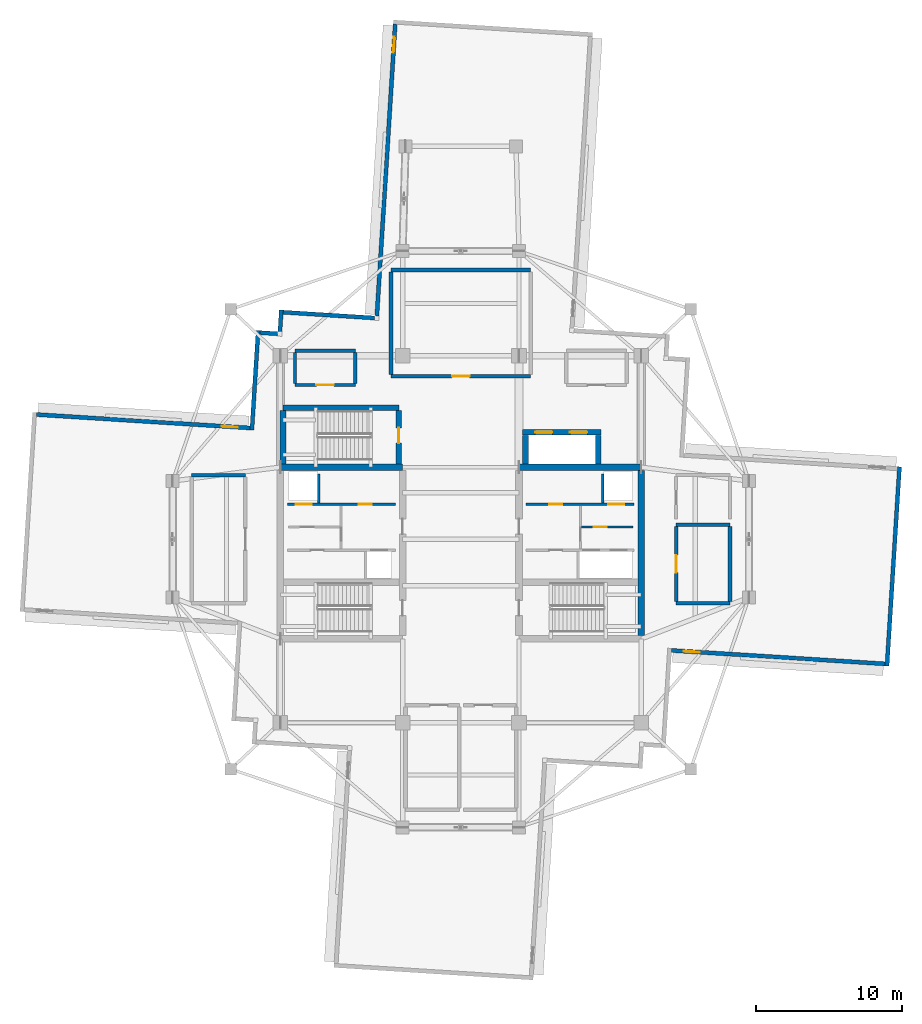
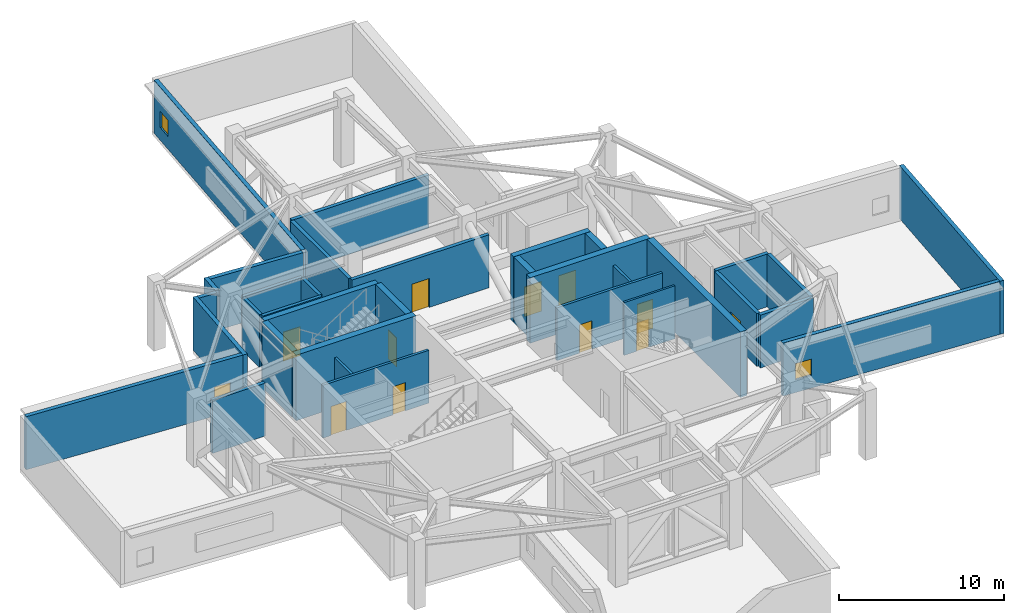
# One storey, part 9 of 14: 34 walls, 11 doors, 3 windows, 14 openings.
"""IFC4 building model written with IfcOpenShell, lengths in metres."""

from ifc_helpers import new_model, si_unit, direction, frame, frame_2d, origin, place, context, subcontext, project, spatial, rectangle, extrude, material, layer, layer_set, type_object, element, fill, save


model = new_model("IFC4")

# Units and contexts
model_context = context("Model", 3, precision=1e-05, world=origin(), true_north=direction((0.0, 1.0)))
body_context = subcontext(model_context, "Body", "Model", "MODEL_VIEW")
ifc_project = project(units=[si_unit("LENGTHUNIT", "METRE"), si_unit("AREAUNIT", "SQUARE_METRE"), si_unit("VOLUMEUNIT", "CUBIC_METRE"), si_unit("PLANEANGLEUNIT", "RADIAN"), si_unit("MASSUNIT", "GRAM", prefix="KILO")], contexts=[model_context])

# Site, building, storey
site_placement = place(None, origin())
site = spatial("IfcSite", under=ifc_project, at=site_placement, CompositionType="ELEMENT")
building_placement = place(site_placement, origin())
building = spatial("IfcBuilding", under=site, at=building_placement, Name="Qingluan Cross Belvedere", CompositionType="ELEMENT")
storey_placement = place(building_placement, frame((0.0, 0.0, 240.300048828125)))
storey = spatial("IfcBuildingStorey", under=building, at=storey_placement, Name="L60", CompositionType="ELEMENT", Elevation=240.300048828125)

# Walls
ifc_material_1 = material(Name="Concrete C50", Category="concrete")
ifc_layer_1 = layer(ifc_material_1, 0.449951171875, Name="CoreShearWall_450")
ifc_layer_set_1 = layer_set([ifc_layer_1], Name="Concrete C50")
wall_type_1 = type_object("IfcWallType", Name="CoreShearWall_450", PredefinedType="SHEAR", material=ifc_layer_set_1)
for number, where, z_axis, x_axis, name in (
    (1, (-12.39990234375, 4.949951171875, 0.0), (0.0, 0.0, 1.0), (1.0, 0.0, 0.0), "Split core W shear wall L60-N"),
    (2, (4.0, 4.949951171875, 0.0), (0.0, 0.0, 1.0), (1.0, 0.0, 0.0), "Split core E shear wall L60-N"),
):
    element("IfcWall", number, at=place(storey_placement, frame(where, z_axis=z_axis, x_axis=x_axis)), inside=storey, type_object=wall_type_1, Name=name, PredefinedType="SHEAR", context=body_context, shape_type="SweptSolid", body=[
        extrude(rectangle(XDim=8.39990234375, YDim=0.449951171875, at=frame_2d((4.199951171875, 0.0))), origin(), (0.0, 0.0, 1.0), 4.849853515625),
    ])
wall_1_placement = place(storey_placement, frame((12.39990234375, -6.6201171875, 0.0), z_axis=(0.0, 0.0, 1.0), x_axis=(0.0, 1.0, 0.0)))
element("IfcWall", 3, at=wall_1_placement, inside=storey, type_object=wall_type_1, Name="Split core E shear wall L60-E", PredefinedType="SHEAR", context=body_context, shape_type="SweptSolid", body=[
    extrude(rectangle(XDim=11.340087890625, YDim=0.449951171875, at=frame_2d((5.669921875, 0.0))), origin(), (0.0, 0.0, 1.0), 4.849853515625),
])
wall_2_placement = place(storey_placement, frame((-12.219970703125, 9.0400390625, 0.0), z_axis=(0.0, 0.0, 1.0), x_axis=(1.0, 0.0, 0.0)))
element("IfcWall", 4, at=wall_2_placement, inside=storey, type_object=wall_type_1, Name="Stair ST3 structural wall N L60", PredefinedType="SHEAR", context=body_context, shape_type="SweptSolid", body=[
    extrude(rectangle(XDim=7.9599609375, YDim=0.39990234375, at=frame_2d((3.97998046875, 0.0))), origin(), (0.0, 0.0, 1.0), 4.849853515625),
])
wall_3_placement = place(storey_placement, frame((-12.219970703125, 5.179931640625, 0.0), z_axis=(0.0, 0.0, 1.0), x_axis=(0.0, 1.0, 0.0)))
element("IfcWall", 5, at=wall_3_placement, inside=storey, type_object=wall_type_1, Name="Stair ST3 structural wall W L60", PredefinedType="SHEAR", context=body_context, shape_type="SweptSolid", body=[
    extrude(rectangle(XDim=3.655029296875, YDim=0.39990234375, at=frame_2d((1.82763671875, 0.0))), origin(), (0.0, 0.0, 1.0), 4.849853515625),
])

# Wall, opening, door
wall_4_placement = place(storey_placement, frame((-4.260009765625, 5.179931640625, 0.0), z_axis=(0.0, 0.0, 1.0), x_axis=(0.0, 1.0, 0.0)))
wall_4 = element("IfcWall", 6, at=wall_4_placement, inside=storey, type_object=wall_type_1, Name="Stair ST3 structural wall E L60", PredefinedType="SHEAR", context=body_context, shape_type="SweptSolid", body=[
    extrude(rectangle(XDim=3.655029296875, YDim=0.39990234375, at=frame_2d((1.82763671875, 0.0))), origin(), (0.0, 0.0, 1.0), 4.849853515625),
])
opening_1_placement = place(wall_4_placement, frame((1.419921875, 0.0, 0.0)))
opening_1 = element("IfcOpeningElement", 7, at=opening_1_placement, cuts=wall_4, Name="Opening FD-B11", PredefinedType="OPENING", context=body_context, shape_type="SweptSolid", body=[
    extrude(rectangle(XDim=1.050048828125, YDim=2.14990234375, at=frame_2d((0.52490234375, 1.074951171875))), frame((0.0, 0.2099609375, 0.0), z_axis=(0.0, -1.0, 0.0), x_axis=(1.0, 0.0, 0.0)), (0.0, 0.0, 1.0), 0.419921875),
])
ifc_material_2 = material(Name="Steel Class B smoke-seal fire door", Category="steel")
door_type_1 = type_object("IfcDoorType", Name="StairLobbyFireDoor_FDB", OperationType="NOTDEFINED", PredefinedType="DOOR", material=ifc_material_2)
door_1_placement = place(opening_1_placement, origin())
door_1 = element("IfcDoor", 8, at=door_1_placement, inside=storey, type_object=door_type_1, Name="Smoke-proof stair ST3 fire door L60", OperationType="SINGLE_SWING_RIGHT", OverallHeight=2.14990234375, OverallWidth=1.050048828125, PredefinedType="DOOR", context=body_context, shape_type="SweptSolid", body=[
    extrude(rectangle(XDim=1.050048828125, YDim=2.14990234375, at=frame_2d((0.52490234375, 1.074951171875))), frame((0.0, 0.02490234375, 0.0), z_axis=(0.0, -1.0, 0.0), x_axis=(1.0, 0.0, 0.0)), (0.0, 0.0, 1.0), 0.050048828125),
])
fill(opening_1, door_1)

# Wall
wall_5_placement = place(storey_placement, frame((4.449951171875, 5.179931640625, 0.0), z_axis=(0.0, 0.0, 1.0), x_axis=(0.0, 1.0, 0.0)))
element("IfcWall", 9, at=wall_5_placement, inside=storey, type_object=wall_type_1, Name="Express shuttle core wall L60-W", PredefinedType="SHEAR", context=body_context, shape_type="SweptSolid", body=[
    extrude(rectangle(XDim=1.9599609375, YDim=0.39990234375, at=frame_2d((0.97998046875, 0.0))), origin(), (0.0, 0.0, 1.0), 4.849853515625),
])

# Wall, openings, doors
wall_6_placement = place(storey_placement, frame((4.25, 7.35009765625, 0.0), z_axis=(0.0, 0.0, 1.0), x_axis=(1.0, 0.0, 0.0)))
wall_6 = element("IfcWall", 10, at=wall_6_placement, inside=storey, type_object=wall_type_1, Name="Express shuttle core wall L60-N", PredefinedType="SHEAR", context=body_context, shape_type="SweptSolid", body=[
    extrude(rectangle(XDim=5.39990234375, YDim=0.39990234375, at=frame_2d((2.699951171875, 0.0))), origin(), (0.0, 0.0, 1.0), 4.849853515625),
])
opening_2_placement = place(wall_6_placement, frame((0.85009765625, 0.0, 0.0)))
opening_2 = element("IfcOpeningElement", 11, at=opening_2_placement, cuts=wall_6, Name="Opening LD-12", PredefinedType="OPENING", context=body_context, shape_type="SweptSolid", body=[
    extrude(rectangle(XDim=1.199951171875, YDim=2.199951171875, at=frame_2d((0.60009765625, 1.10009765625))), frame((0.0, 0.2099609375, 0.0), z_axis=(0.0, -1.0, 0.0), x_axis=(1.0, 0.0, 0.0)), (0.0, 0.0, 1.0), 0.419921875),
])
opening_3_placement = place(wall_6_placement, frame((3.25, 0.0, 0.0)))
opening_3 = element("IfcOpeningElement", 12, at=opening_3_placement, cuts=wall_6, Name="Opening LD-12", PredefinedType="OPENING", context=body_context, shape_type="SweptSolid", body=[
    extrude(rectangle(XDim=1.199951171875, YDim=2.199951171875, at=frame_2d((0.60009765625, 1.10009765625))), frame((0.0, 0.2099609375, 0.0), z_axis=(0.0, -1.0, 0.0), x_axis=(1.0, 0.0, 0.0)), (0.0, 0.0, 1.0), 0.419921875),
])
ifc_material_3 = material(Name="Bronze-anodised stainless steel lift landing door", Category="steel")
door_type_2 = type_object("IfcDoorType", Name="ExpressLiftSlidingDoor_1200", OperationType="DOUBLE_DOOR_SLIDING", PredefinedType="DOOR", material=ifc_material_3)
door_2_placement = place(opening_2_placement, origin())
door_2 = element("IfcDoor", 13, at=door_2_placement, inside=storey, type_object=door_type_2, Name="Express shuttle landing sliding door LPX1 L60", OperationType="DOUBLE_DOOR_SLIDING", OverallHeight=2.199951171875, OverallWidth=1.199951171875, PredefinedType="DOOR", context=body_context, shape_type="SweptSolid", body=[
    extrude(rectangle(XDim=1.199951171875, YDim=2.199951171875, at=frame_2d((0.60009765625, 1.10009765625))), frame((0.0, 0.02490234375, 0.0), z_axis=(0.0, -1.0, 0.0), x_axis=(1.0, 0.0, 0.0)), (0.0, 0.0, 1.0), 0.050048828125),
])
fill(opening_2, door_2)
door_3_placement = place(opening_3_placement, origin())
door_3 = element("IfcDoor", 14, at=door_3_placement, inside=storey, type_object=door_type_2, Name="Express shuttle landing sliding door LPX2 L60", OperationType="DOUBLE_DOOR_SLIDING", OverallHeight=2.199951171875, OverallWidth=1.199951171875, PredefinedType="DOOR", context=body_context, shape_type="SweptSolid", body=[
    extrude(rectangle(XDim=1.199951171875, YDim=2.199951171875, at=frame_2d((0.60009765625, 1.10009765625))), frame((0.0, 0.02490234375, 0.0), z_axis=(0.0, -1.0, 0.0), x_axis=(1.0, 0.0, 0.0)), (0.0, 0.0, 1.0), 0.050048828125),
])
fill(opening_3, door_3)

# Wall
wall_7_placement = place(storey_placement, frame((9.449951171875, 5.179931640625, 0.0), z_axis=(0.0, 0.0, 1.0), x_axis=(0.0, 1.0, 0.0)))
element("IfcWall", 15, at=wall_7_placement, inside=storey, type_object=wall_type_1, Name="Express shuttle core wall L60-E", PredefinedType="SHEAR", context=body_context, shape_type="SweptSolid", body=[
    extrude(rectangle(XDim=1.9599609375, YDim=0.39990234375, at=frame_2d((0.97998046875, 0.0))), origin(), (0.0, 0.0, 1.0), 4.849853515625),
])

# Wall, opening, door
ifc_material_4 = material(Name="Gypsum plasterboard on steel stud acoustic partition", Category="steel")
ifc_layer_2 = layer(ifc_material_4, 0.159912109375, Name="CorridorPartition_160")
ifc_layer_set_2 = layer_set([ifc_layer_2], Name="Gypsum plasterboard on steel stud acoustic partition")
wall_type_2 = type_object("IfcWallType", Name="CorridorPartition_160", PredefinedType="PARTITIONING", material=ifc_layer_set_2)
wall_8_placement = place(storey_placement, frame((8.298095703125, 0.830078125, 0.0), z_axis=(0.0, 0.0, 1.0), x_axis=(1.0, 0.0, 0.0)))
wall_8 = element("IfcWall", 16, at=wall_8_placement, inside=storey, type_object=wall_type_2, Name="Partition L60:e", PredefinedType="PARTITIONING", context=body_context, shape_type="SweptSolid", body=[
    extrude(rectangle(XDim=3.552001953125, YDim=0.139892578125, at=frame_2d((1.77587890625, 0.0))), origin(), (0.0, 0.0, 1.0), 3.919921875),
])
opening_4_placement = place(wall_8_placement, frame((0.85009765625, 0.0, 0.0)))
opening_4 = element("IfcOpeningElement", 17, at=opening_4_placement, cuts=wall_8, Name="Opening FD-B10", PredefinedType="OPENING", context=body_context, shape_type="SweptSolid", body=[
    extrude(rectangle(XDim=0.8798828125, YDim=2.10009765625, at=frame_2d((0.43994140625, 1.050048828125))), frame((0.0, 0.079833984375, 0.0), z_axis=(0.0, -1.0, 0.0), x_axis=(1.0, 0.0, 0.0)), (0.0, 0.0, 1.0), 0.159912109375),
])
ifc_material_5 = material(Name="Steel Class B service fire door", Category="steel")
door_type_3 = type_object("IfcDoorType", Name="RiserServiceFireDoor_FDB", OperationType="NOTDEFINED", PredefinedType="DOOR", material=ifc_material_5)
door_4_placement = place(opening_4_placement, origin())
door_4 = element("IfcDoor", 18, at=door_4_placement, inside=storey, type_object=door_type_3, Name="Service closet inner door L60", OperationType="SINGLE_SWING_RIGHT", OverallHeight=2.10009765625, OverallWidth=0.8798828125, PredefinedType="DOOR", context=body_context, shape_type="SweptSolid", body=[
    extrude(rectangle(XDim=0.8798828125, YDim=2.10009765625, at=frame_2d((0.43994140625, 1.050048828125))), frame((0.0, 0.02490234375, 0.0), z_axis=(0.0, -1.0, 0.0), x_axis=(1.0, 0.0, 0.0)), (0.0, 0.0, 1.0), 0.050048828125),
])
fill(opening_4, door_4)

wall_9_placement = place(storey_placement, frame((-11.39990234375, 10.60009765625, 0.0), z_axis=(0.0, 0.0, 1.0), x_axis=(1.0, 0.0, 0.0)))
wall_9 = element("IfcWall", 19, at=wall_9_placement, inside=storey, type_object=wall_type_2, Name="Partition L60:refuge_nw:S", PredefinedType="PARTITIONING", context=body_context, shape_type="SweptSolid", body=[
    extrude(rectangle(XDim=4.14990234375, YDim=0.219970703125, at=frame_2d((2.074951171875, 0.0))), origin(), (0.0, 0.0, 1.0), 3.919921875),
])
opening_5_placement = place(wall_9_placement, frame((1.47509765625, 0.0, 0.0)))
opening_5 = element("IfcOpeningElement", 20, at=opening_5_placement, cuts=wall_9, Name="Opening FD-A12", PredefinedType="OPENING", context=body_context, shape_type="SweptSolid", body=[
    extrude(rectangle(XDim=1.199951171875, YDim=2.14990234375, at=frame_2d((0.60009765625, 1.074951171875))), frame((0.0, 0.119873046875, 0.0), z_axis=(0.0, -1.0, 0.0), x_axis=(1.0, 0.0, 0.0)), (0.0, 0.0, 1.0), 0.239990234375),
])
ifc_material_6 = material(Name="Insulated steel Class A fire door", Category="steel")
door_type_4 = type_object("IfcDoorType", Name="RefugeCompartmentDoor_FDA", OperationType="NOTDEFINED", PredefinedType="DOOR", material=ifc_material_6)
door_5_placement = place(opening_5_placement, origin())
door_5 = element("IfcDoor", 21, at=door_5_placement, inside=storey, type_object=door_type_4, Name="High-zone fire refuge bay NW L60 door", OperationType="SINGLE_SWING_LEFT", OverallHeight=2.14990234375, OverallWidth=1.199951171875, PredefinedType="DOOR", context=body_context, shape_type="SweptSolid", body=[
    extrude(rectangle(XDim=1.199951171875, YDim=2.14990234375, at=frame_2d((0.60009765625, 1.074951171875))), frame((0.0, 0.02490234375, 0.0), z_axis=(0.0, -1.0, 0.0), x_axis=(1.0, 0.0, 0.0)), (0.0, 0.0, 1.0), 0.050048828125),
])
fill(opening_5, door_5)

# Walls
wall_10_placement = place(storey_placement, frame((-11.39990234375, 12.949951171875, 0.0), z_axis=(0.0, 0.0, 1.0), x_axis=(1.0, 0.0, 0.0)))
element("IfcWall", 22, at=wall_10_placement, inside=storey, type_object=wall_type_2, Name="Partition L60:refuge_nw:N", PredefinedType="PARTITIONING", context=body_context, shape_type="SweptSolid", body=[
    extrude(rectangle(XDim=4.14990234375, YDim=0.219970703125, at=frame_2d((2.074951171875, 0.0))), origin(), (0.0, 0.0, 1.0), 3.919921875),
])
for number, where, z_axis, x_axis, name in (
    (23, (-11.39990234375, 10.715087890625, 0.0), (0.0, 0.0, 1.0), (0.0, 1.0, 0.0), "Partition L60:refuge_nw:W"),
    (24, (-7.25, 10.715087890625, 0.0), (0.0, 0.0, 1.0), (0.0, 1.0, 0.0), "Partition L60:refuge_nw:E"),
):
    element("IfcWall", number, at=place(storey_placement, frame(where, z_axis=z_axis, x_axis=x_axis)), inside=storey, type_object=wall_type_2, Name=name, PredefinedType="PARTITIONING", context=body_context, shape_type="SweptSolid", body=[
        extrude(rectangle(XDim=2.119873046875, YDim=0.219970703125, at=frame_2d((1.06005859375, 0.0))), origin(), (0.0, 0.0, 1.0), 3.919921875),
    ])

# Wall, opening, door
ifc_material_7 = material(Name="Concrete C40", Category="concrete")
ifc_layer_3 = layer(ifc_material_7, 0.300048828125, Name="FireCompartmentWall_300")
ifc_layer_set_3 = layer_set([ifc_layer_3], Name="Concrete C40")
wall_type_3 = type_object("IfcWallType", Name="FireCompartmentWall_300", PredefinedType="SOLIDWALL", material=ifc_layer_set_3)
wall_11_placement = place(storey_placement, frame((-4.800048828125, 11.199951171875, 0.0), z_axis=(0.0, 0.0, 1.0), x_axis=(1.0, 0.0, 0.0)))
wall_11 = element("IfcWall", 25, at=wall_11_placement, inside=storey, type_object=wall_type_3, Name="Partition L60:refuge_n:S", PredefinedType="SOLIDWALL", context=body_context, shape_type="SweptSolid", body=[
    extrude(rectangle(XDim=9.60009765625, YDim=0.25, at=frame_2d((4.800048828125, 0.0))), origin(), (0.0, 0.0, 1.0), 3.919921875),
])
opening_6_placement = place(wall_11_placement, frame((4.199951171875, 0.0, 0.0)))
opening_6 = element("IfcOpeningElement", 26, at=opening_6_placement, cuts=wall_11, Name="Opening FD-A12", PredefinedType="OPENING", context=body_context, shape_type="SweptSolid", body=[
    extrude(rectangle(XDim=1.199951171875, YDim=2.14990234375, at=frame_2d((0.60009765625, 1.074951171875))), frame((0.0, 0.135009765625, 0.0), z_axis=(0.0, -1.0, 0.0), x_axis=(1.0, 0.0, 0.0)), (0.0, 0.0, 1.0), 0.27001953125),
])
door_6_placement = place(opening_6_placement, origin())
door_6 = element("IfcDoor", 27, at=door_6_placement, inside=storey, type_object=door_type_4, Name="Fire refuge area North L60 door", OperationType="SINGLE_SWING_RIGHT", OverallHeight=2.14990234375, OverallWidth=1.199951171875, PredefinedType="DOOR", context=body_context, shape_type="SweptSolid", body=[
    extrude(rectangle(XDim=1.199951171875, YDim=2.14990234375, at=frame_2d((0.60009765625, 1.074951171875))), frame((0.0, 0.02490234375, 0.0), z_axis=(0.0, -1.0, 0.0), x_axis=(1.0, 0.0, 0.0)), (0.0, 0.0, 1.0), 0.050048828125),
])
fill(opening_6, door_6)

# Walls
wall_12_placement = place(storey_placement, frame((-4.800048828125, 18.5, 0.0), z_axis=(0.0, 0.0, 1.0), x_axis=(1.0, 0.0, 0.0)))
element("IfcWall", 28, at=wall_12_placement, inside=storey, type_object=wall_type_3, Name="Partition L60:refuge_n:N", PredefinedType="SOLIDWALL", context=body_context, shape_type="SweptSolid", body=[
    extrude(rectangle(XDim=9.60009765625, YDim=0.25, at=frame_2d((4.800048828125, 0.0))), origin(), (0.0, 0.0, 1.0), 3.919921875),
])
wall_13_placement = place(storey_placement, frame((-4.800048828125, 11.330078125, 0.0), z_axis=(0.0, 0.0, 1.0), x_axis=(0.0, 1.0, 0.0)))
element("IfcWall", 29, at=wall_13_placement, inside=storey, type_object=wall_type_3, Name="Partition L60:refuge_n:W", PredefinedType="SOLIDWALL", context=body_context, shape_type="SweptSolid", body=[
    extrude(rectangle(XDim=7.0400390625, YDim=0.25, at=frame_2d((3.52001953125, 0.0))), origin(), (0.0, 0.0, 1.0), 3.919921875),
])
for number, where, z_axis, x_axis, name in (
    (30, (-18.5, 4.39990234375, 0.0), (0.0, 0.0, 1.0), (1.0, 0.0, 0.0), "Partition L60:hx_plant:N"),
    (31, (14.800048828125, -4.39990234375, 0.0), (0.0, 0.0, 1.0), (1.0, 0.0, 0.0), "Partition L60:press_fan:S"),
    (32, (14.800048828125, 1.0, 0.0), (0.0, 0.0, 1.0), (1.0, 0.0, 0.0), "Partition L60:press_fan:N"),
):
    element("IfcWall", number, at=place(storey_placement, frame(where, z_axis=z_axis, x_axis=x_axis)), inside=storey, type_object=wall_type_3, Name=name, PredefinedType="SOLIDWALL", context=body_context, shape_type="SweptSolid", body=[
        extrude(rectangle(XDim=3.699951171875, YDim=0.25, at=frame_2d((1.85009765625, 0.0))), origin(), (0.0, 0.0, 1.0), 3.919921875),
    ])

# Wall, opening, door
wall_14_placement = place(storey_placement, frame((14.800048828125, -4.27001953125, 0.0), z_axis=(0.0, 0.0, 1.0), x_axis=(0.0, 1.0, 0.0)))
wall_14 = element("IfcWall", 33, at=wall_14_placement, inside=storey, type_object=wall_type_3, Name="Partition L60:press_fan:W", PredefinedType="SOLIDWALL", context=body_context, shape_type="SweptSolid", body=[
    extrude(rectangle(XDim=5.14013671875, YDim=0.25, at=frame_2d((2.570068359375, 0.0))), origin(), (0.0, 0.0, 1.0), 3.919921875),
])
opening_7_placement = place(wall_14_placement, frame((1.969970703125, 0.0, 0.0)))
opening_7 = element("IfcOpeningElement", 34, at=opening_7_placement, cuts=wall_14, Name="Opening FD-A12", PredefinedType="OPENING", context=body_context, shape_type="SweptSolid", body=[
    extrude(rectangle(XDim=1.199951171875, YDim=2.14990234375, at=frame_2d((0.60009765625, 1.074951171875))), frame((0.0, 0.135009765625, 0.0), z_axis=(0.0, -1.0, 0.0), x_axis=(1.0, 0.0, 0.0)), (0.0, 0.0, 1.0), 0.27001953125),
])
door_7_placement = place(opening_7_placement, origin())
door_7 = element("IfcDoor", 35, at=door_7_placement, inside=storey, type_object=door_type_4, Name="Smoke pressurization fan plant room L60 door", OperationType="SINGLE_SWING_LEFT", OverallHeight=2.14990234375, OverallWidth=1.199951171875, PredefinedType="DOOR", context=body_context, shape_type="SweptSolid", body=[
    extrude(rectangle(XDim=1.199951171875, YDim=2.14990234375, at=frame_2d((0.60009765625, 1.074951171875))), frame((0.0, 0.02490234375, 0.0), z_axis=(0.0, -1.0, 0.0), x_axis=(1.0, 0.0, 0.0)), (0.0, 0.0, 1.0), 0.050048828125),
])
fill(opening_7, door_7)

# Wall
wall_15_placement = place(storey_placement, frame((18.5, -4.27001953125, 0.0), z_axis=(0.0, 0.0, 1.0), x_axis=(0.0, 1.0, 0.0)))
element("IfcWall", 36, at=wall_15_placement, inside=storey, type_object=wall_type_3, Name="Partition L60:press_fan:E", PredefinedType="SOLIDWALL", context=body_context, shape_type="SweptSolid", body=[
    extrude(rectangle(XDim=5.14013671875, YDim=0.25, at=frame_2d((2.570068359375, 0.0))), origin(), (0.0, 0.0, 1.0), 3.919921875),
])

# Wall, opening, window
ifc_material_8 = material(Name="Precast concrete C45", Category="concrete")
ifc_layer_4 = layer(ifc_material_8, 0.280029296875, Name="PrecastFacadeWall_280")
ifc_layer_set_4 = layer_set([ifc_layer_4], Name="Precast concrete C45")
wall_type_4 = type_object("IfcWallType", Name="PrecastFacadeWall_280", PredefinedType="STANDARD", material=ifc_layer_set_4)
wall_16_placement = place(storey_placement, frame((14.488525390625, -7.644775390625, 0.0), z_axis=(0.0, 0.0, 1.0), x_axis=(0.998026448555, -0.062794967833, 0.0)))
wall_16 = element("IfcWall", 37, at=wall_16_placement, inside=storey, type_object=wall_type_4, Name="Facade wall L60-EA", PredefinedType="STANDARD", context=body_context, shape_type="SweptSolid", body=[
    extrude(rectangle(XDim=14.7001953125, YDim=0.280029296875, at=frame_2d((7.35009765625, 0.0))), origin(), (0.0, 0.0, 1.0), 3.929931640625),
])
opening_8_placement = place(wall_16_placement, frame((0.85009765625, 0.0, 0.949951171875)))
opening_8 = element("IfcOpeningElement", 38, at=opening_8_placement, cuts=wall_16, Name="Opening W-07", PredefinedType="OPENING", context=body_context, shape_type="SweptSolid", body=[
    extrude(rectangle(XDim=1.10009765625, YDim=1.199951171875, at=frame_2d((0.550048828125, 0.60009765625))), frame((0.0, 0.14990234375, 0.0), z_axis=(0.0, -1.0, 0.0), x_axis=(1.0, 0.0, 0.0)), (0.0, 0.0, 1.0), 0.300048828125),
])
ifc_material_9 = material(Name="Thermally broken triple Low-E glass in aluminium frame", Category="aluminium")
window_type = type_object("IfcWindowType", Name="RefugeSmokeWin_1100x1200", PartitioningType="SINGLE_PANEL", PredefinedType="WINDOW", material=ifc_material_9)
window_1_placement = place(opening_8_placement, origin())
window_1 = element("IfcWindow", 39, at=window_1_placement, inside=storey, type_object=window_type, Name="Refuge operable smoke window L60-EA", OverallHeight=1.199951171875, OverallWidth=1.10009765625, PartitioningType="SINGLE_PANEL", PredefinedType="WINDOW", context=body_context, shape_type="SweptSolid", body=[
    extrude(rectangle(XDim=1.10009765625, YDim=1.199951171875, at=frame_2d((0.550048828125, 0.60009765625))), frame((0.0, 0.030029296875, 0.0), z_axis=(0.0, -1.0, 0.0), x_axis=(1.0, 0.0, 0.0)), (0.0, 0.0, 1.0), 0.06005859375),
])
fill(opening_8, window_1)

# Wall
wall_17_placement = place(storey_placement, frame((29.29052734375, -8.71630859375, 0.0), z_axis=(0.0, 0.0, 1.0), x_axis=(0.062797041623, 0.998026318072, 0.0)))
element("IfcWall", 40, at=wall_17_placement, inside=storey, type_object=wall_type_4, Name="Arm tip precast facade wall L60-E", PredefinedType="STANDARD", context=body_context, shape_type="SweptSolid", body=[
    extrude(rectangle(XDim=13.719970703125, YDim=0.280029296875, at=frame_2d((6.85986328125, 0.0))), origin(), (0.0, 0.0, 1.0), 3.929931640625),
])

# Wall, opening, window
wall_18_placement = place(storey_placement, frame((-4.506591796875, 35.392822265625, 0.0), z_axis=(0.0, 0.0, 1.0), x_axis=(-0.062784355807, -0.998027116198, 0.0)))
wall_18 = element("IfcWall", 41, at=wall_18_placement, inside=storey, type_object=wall_type_4, Name="Facade wall L60-NB", PredefinedType="STANDARD", context=body_context, shape_type="SweptSolid", body=[
    extrude(rectangle(XDim=20.099853515625, YDim=0.280029296875, at=frame_2d((10.0498046875, 0.0))), origin(), (0.0, 0.0, 1.0), 3.929931640625),
])
opening_9_placement = place(wall_18_placement, frame((0.85009765625, 0.0, 0.949951171875)))
opening_9 = element("IfcOpeningElement", 42, at=opening_9_placement, cuts=wall_18, Name="Opening W-07", PredefinedType="OPENING", context=body_context, shape_type="SweptSolid", body=[
    extrude(rectangle(XDim=1.10009765625, YDim=1.199951171875, at=frame_2d((0.550048828125, 0.60009765625))), frame((0.0, 0.14990234375, 0.0), z_axis=(0.0, -1.0, 0.0), x_axis=(1.0, 0.0, 0.0)), (0.0, 0.0, 1.0), 0.300048828125),
])
window_2_placement = place(opening_9_placement, origin())
window_2 = element("IfcWindow", 43, at=window_2_placement, inside=storey, type_object=window_type, Name="Refuge operable smoke window L60-NB", OverallHeight=1.199951171875, OverallWidth=1.10009765625, PartitioningType="SINGLE_PANEL", PredefinedType="WINDOW", context=body_context, shape_type="SweptSolid", body=[
    extrude(rectangle(XDim=1.10009765625, YDim=1.199951171875, at=frame_2d((0.550048828125, 0.60009765625))), frame((0.0, 0.030029296875, 0.0), z_axis=(0.0, -1.0, 0.0), x_axis=(1.0, 0.0, 0.0)), (0.0, 0.0, 1.0), 0.06005859375),
])
fill(opening_9, window_2)

wall_19_placement = place(storey_placement, frame((-14.488525390625, 7.644775390625, 0.0), z_axis=(0.0, 0.0, 1.0), x_axis=(-0.998026448555, 0.062794967833, 0.0)))
wall_19 = element("IfcWall", 44, at=wall_19_placement, inside=storey, type_object=wall_type_4, Name="Facade wall L60-WA", PredefinedType="STANDARD", context=body_context, shape_type="SweptSolid", body=[
    extrude(rectangle(XDim=14.7001953125, YDim=0.280029296875, at=frame_2d((7.35009765625, 0.0))), origin(), (0.0, 0.0, 1.0), 3.929931640625),
])
opening_10_placement = place(wall_19_placement, frame((0.85009765625, 0.0, 0.949951171875)))
opening_10 = element("IfcOpeningElement", 45, at=opening_10_placement, cuts=wall_19, Name="Opening W-07", PredefinedType="OPENING", context=body_context, shape_type="SweptSolid", body=[
    extrude(rectangle(XDim=1.10009765625, YDim=1.199951171875, at=frame_2d((0.550048828125, 0.60009765625))), frame((0.0, 0.14990234375, 0.0), z_axis=(0.0, -1.0, 0.0), x_axis=(1.0, 0.0, 0.0)), (0.0, 0.0, 1.0), 0.300048828125),
])
window_3_placement = place(opening_10_placement, origin())
window_3 = element("IfcWindow", 46, at=window_3_placement, inside=storey, type_object=window_type, Name="Refuge operable smoke window L60-WA", OverallHeight=1.199951171875, OverallWidth=1.10009765625, PartitioningType="SINGLE_PANEL", PredefinedType="WINDOW", context=body_context, shape_type="SweptSolid", body=[
    extrude(rectangle(XDim=1.10009765625, YDim=1.199951171875, at=frame_2d((0.550048828125, 0.60009765625))), frame((0.0, 0.030029296875, 0.0), z_axis=(0.0, -1.0, 0.0), x_axis=(1.0, 0.0, 0.0)), (0.0, 0.0, 1.0), 0.06005859375),
])
fill(opening_10, window_3)

# Walls
wall_20_placement = place(storey_placement, frame((-14.357666015625, 7.496337890625, 0.0), z_axis=(0.0, 0.0, 1.0), x_axis=(0.062779317195, 0.998027433156, 0.0)))
element("IfcWall", 47, at=wall_20_placement, inside=storey, type_object=wall_type_4, Name="Corner wall L60-NW1", PredefinedType="STANDARD", context=body_context, shape_type="SweptSolid", body=[
    extrude(rectangle(XDim=6.85986328125, YDim=0.280029296875, at=frame_2d((3.429931640625, 0.0))), origin(), (0.0, 0.0, 1.0), 3.929931640625),
])
wall_21_placement = place(storey_placement, frame((-13.7958984375, 14.1943359375, 0.0), z_axis=(0.0, 0.0, 1.0), x_axis=(0.998023660242, -0.06283926796, 0.0)))
element("IfcWall", 48, at=wall_21_placement, inside=storey, type_object=wall_type_4, Name="Corner wall L60-NW2", PredefinedType="STANDARD", context=body_context, shape_type="SweptSolid", body=[
    extrude(rectangle(XDim=1.219970703125, YDim=0.280029296875, at=frame_2d((0.60986328125, 0.0))), origin(), (0.0, 0.0, 1.0), 3.929931640625),
])
wall_22_placement = place(storey_placement, frame((-12.429931640625, 14.24853515625, 0.0), z_axis=(0.0, 0.0, 1.0), x_axis=(0.062824119533, 0.998024613927, 0.0)))
element("IfcWall", 49, at=wall_22_placement, inside=storey, type_object=wall_type_4, Name="Corner wall L60-NW3", PredefinedType="STANDARD", context=body_context, shape_type="SweptSolid", body=[
    extrude(rectangle(XDim=1.5, YDim=0.280029296875, at=frame_2d((0.75, 0.0))), origin(), (0.0, 0.0, 1.0), 3.929931640625),
])
wall_23_placement = place(storey_placement, frame((-12.20458984375, 15.59716796875, 0.0), z_axis=(0.0, 0.0, 1.0), x_axis=(0.998024885752, -0.062819801181, 0.0)))
element("IfcWall", 50, at=wall_23_placement, inside=storey, type_object=wall_type_4, Name="Corner wall L60-NW4", PredefinedType="STANDARD", context=body_context, shape_type="SweptSolid", body=[
    extrude(rectangle(XDim=6.2998046875, YDim=0.280029296875, at=frame_2d((3.14990234375, 0.0))), origin(), (0.0, 0.0, 1.0), 3.929931640625),
])

# Wall, openings, doors
ifc_material_10 = material(Name="Concrete C40", Category="concrete")
ifc_layer_5 = layer(ifc_material_10, 0.219970703125, Name="ShaftEnclosureWall_250")
ifc_layer_set_5 = layer_set([ifc_layer_5], Name="Concrete C40")
wall_type_5 = type_object("IfcWallType", Name="ShaftEnclosureWall_250", PredefinedType="SOLIDWALL", material=ifc_layer_set_5)
wall_24_placement = place(storey_placement, frame((-11.89990234375, 2.409912109375, 0.0), z_axis=(0.0, 0.0, 1.0), x_axis=(1.0, 0.0, 0.0)))
wall_24 = element("IfcWall", 51, at=wall_24_placement, inside=storey, type_object=wall_type_5, Name="Core-W north hoistway wall L60", PredefinedType="SOLIDWALL", context=body_context, shape_type="SweptSolid", body=[
    extrude(rectangle(XDim=7.419921875, YDim=0.179931640625, at=frame_2d((3.7099609375, 0.0))), origin(), (0.0, 0.0, 1.0), 3.919921875),
])
opening_11_placement = place(wall_24_placement, frame((0.550048828125, 0.0, 0.0)))
opening_11 = element("IfcOpeningElement", 52, at=opening_11_placement, cuts=wall_24, Name="Opening LD-11", PredefinedType="OPENING", context=body_context, shape_type="SweptSolid", body=[
    extrude(rectangle(XDim=1.10009765625, YDim=2.14990234375, at=frame_2d((0.550048828125, 1.074951171875))), frame((0.0, 0.099853515625, 0.0), z_axis=(0.0, -1.0, 0.0), x_axis=(1.0, 0.0, 0.0)), (0.0, 0.0, 1.0), 0.199951171875),
])
opening_12_placement = place(wall_24_placement, frame((4.89990234375, 0.0, 0.0)))
opening_12 = element("IfcOpeningElement", 53, at=opening_12_placement, cuts=wall_24, Name="Opening FD-B10", PredefinedType="OPENING", context=body_context, shape_type="SweptSolid", body=[
    extrude(rectangle(XDim=0.8798828125, YDim=2.10009765625, at=frame_2d((0.43994140625, 1.050048828125))), frame((0.0, 0.099853515625, 0.0), z_axis=(0.0, -1.0, 0.0), x_axis=(1.0, 0.0, 0.0)), (0.0, 0.0, 1.0), 0.199951171875),
])
ifc_material_11 = material(Name="Brushed stainless steel centre-opening lift landing door", Category="steel")
door_type_5 = type_object("IfcDoorType", Name="LiftLandingSlidingDoor_1100", OperationType="DOUBLE_DOOR_SLIDING", PredefinedType="DOOR", material=ifc_material_11)
door_8_placement = place(opening_11_placement, origin())
door_8 = element("IfcDoor", 54, at=door_8_placement, inside=storey, type_object=door_type_5, Name="Lift landing sliding door FL1 L60", OperationType="DOUBLE_DOOR_SLIDING", OverallHeight=2.14990234375, OverallWidth=1.10009765625, PredefinedType="DOOR", context=body_context, shape_type="SweptSolid", body=[
    extrude(rectangle(XDim=1.10009765625, YDim=2.14990234375, at=frame_2d((0.550048828125, 1.074951171875))), frame((0.0, 0.02490234375, 0.0), z_axis=(0.0, -1.0, 0.0), x_axis=(1.0, 0.0, 0.0)), (0.0, 0.0, 1.0), 0.050048828125),
])
fill(opening_11, door_8)
door_9_placement = place(opening_12_placement, origin())
door_9 = element("IfcDoor", 55, at=door_9_placement, inside=storey, type_object=door_type_3, Name="Housekeeping supply room door W L60", OperationType="SINGLE_SWING_LEFT", OverallHeight=2.10009765625, OverallWidth=0.8798828125, PredefinedType="DOOR", context=body_context, shape_type="SweptSolid", body=[
    extrude(rectangle(XDim=0.8798828125, YDim=2.10009765625, at=frame_2d((0.43994140625, 1.050048828125))), frame((0.0, 0.02490234375, 0.0), z_axis=(0.0, -1.0, 0.0), x_axis=(1.0, 0.0, 0.0)), (0.0, 0.0, 1.0), 0.050048828125),
])
fill(opening_12, door_9)

wall_25_placement = place(storey_placement, frame((4.47998046875, 2.409912109375, 0.0), z_axis=(0.0, 0.0, 1.0), x_axis=(1.0, 0.0, 0.0)))
wall_25 = element("IfcWall", 56, at=wall_25_placement, inside=storey, type_object=wall_type_5, Name="Core-E north hoistway wall L60", PredefinedType="SOLIDWALL", context=body_context, shape_type="SweptSolid", body=[
    extrude(rectangle(XDim=7.419921875, YDim=0.179931640625, at=frame_2d((3.7099609375, 0.0))), origin(), (0.0, 0.0, 1.0), 3.919921875),
])
opening_13_placement = place(wall_25_placement, frame((5.669921875, 0.0, 0.0)))
opening_13 = element("IfcOpeningElement", 57, at=opening_13_placement, cuts=wall_25, Name="Opening LD-11", PredefinedType="OPENING", context=body_context, shape_type="SweptSolid", body=[
    extrude(rectangle(XDim=1.10009765625, YDim=2.14990234375, at=frame_2d((0.550048828125, 1.074951171875))), frame((0.0, 0.099853515625, 0.0), z_axis=(0.0, -1.0, 0.0), x_axis=(1.0, 0.0, 0.0)), (0.0, 0.0, 1.0), 0.199951171875),
])
opening_14_placement = place(wall_25_placement, frame((1.60009765625, 0.0, 0.0)))
opening_14 = element("IfcOpeningElement", 58, at=opening_14_placement, cuts=wall_25, Name="Opening FD-B10", PredefinedType="OPENING", context=body_context, shape_type="SweptSolid", body=[
    extrude(rectangle(XDim=0.8798828125, YDim=2.10009765625, at=frame_2d((0.43994140625, 1.050048828125))), frame((0.0, 0.099853515625, 0.0), z_axis=(0.0, -1.0, 0.0), x_axis=(1.0, 0.0, 0.0)), (0.0, 0.0, 1.0), 0.199951171875),
])
door_10_placement = place(opening_13_placement, origin())
door_10 = element("IfcDoor", 59, at=door_10_placement, inside=storey, type_object=door_type_5, Name="Lift landing sliding door FL2 L60", OperationType="DOUBLE_DOOR_SLIDING", OverallHeight=2.14990234375, OverallWidth=1.10009765625, PredefinedType="DOOR", context=body_context, shape_type="SweptSolid", body=[
    extrude(rectangle(XDim=1.10009765625, YDim=2.14990234375, at=frame_2d((0.550048828125, 1.074951171875))), frame((0.0, 0.02490234375, 0.0), z_axis=(0.0, -1.0, 0.0), x_axis=(1.0, 0.0, 0.0)), (0.0, 0.0, 1.0), 0.050048828125),
])
fill(opening_13, door_10)
door_11_placement = place(opening_14_placement, origin())
door_11 = element("IfcDoor", 60, at=door_11_placement, inside=storey, type_object=door_type_3, Name="Pantry room door E L60", OperationType="SINGLE_SWING_RIGHT", OverallHeight=2.10009765625, OverallWidth=0.8798828125, PredefinedType="DOOR", context=body_context, shape_type="SweptSolid", body=[
    extrude(rectangle(XDim=0.8798828125, YDim=2.10009765625, at=frame_2d((0.43994140625, 1.050048828125))), frame((0.0, 0.02490234375, 0.0), z_axis=(0.0, -1.0, 0.0), x_axis=(1.0, 0.0, 0.0)), (0.0, 0.0, 1.0), 0.050048828125),
])
fill(opening_14, door_11)

# Walls
for number, where, z_axis, x_axis, name in (
    (61, (-9.760009765625, 2.5, 0.0), (0.0, 0.0, 1.0), (0.0, 1.0, 0.0), "Hoistway enclosure divider FL1E L60"),
    (62, (9.760009765625, 2.5, 0.0), (0.0, 0.0, 1.0), (0.0, 1.0, 0.0), "Hoistway enclosure divider FL2W L60"),
):
    element("IfcWall", number, at=place(storey_placement, frame(where, z_axis=z_axis, x_axis=x_axis)), inside=storey, type_object=wall_type_5, Name=name, PredefinedType="SOLIDWALL", context=body_context, shape_type="SweptSolid", body=[
        extrude(rectangle(XDim=1.989990234375, YDim=0.179931640625, at=frame_2d((0.9951171875, 0.0))), origin(), (0.0, 0.0, 1.0), 3.919921875),
    ])

save(model, "model.ifc")
